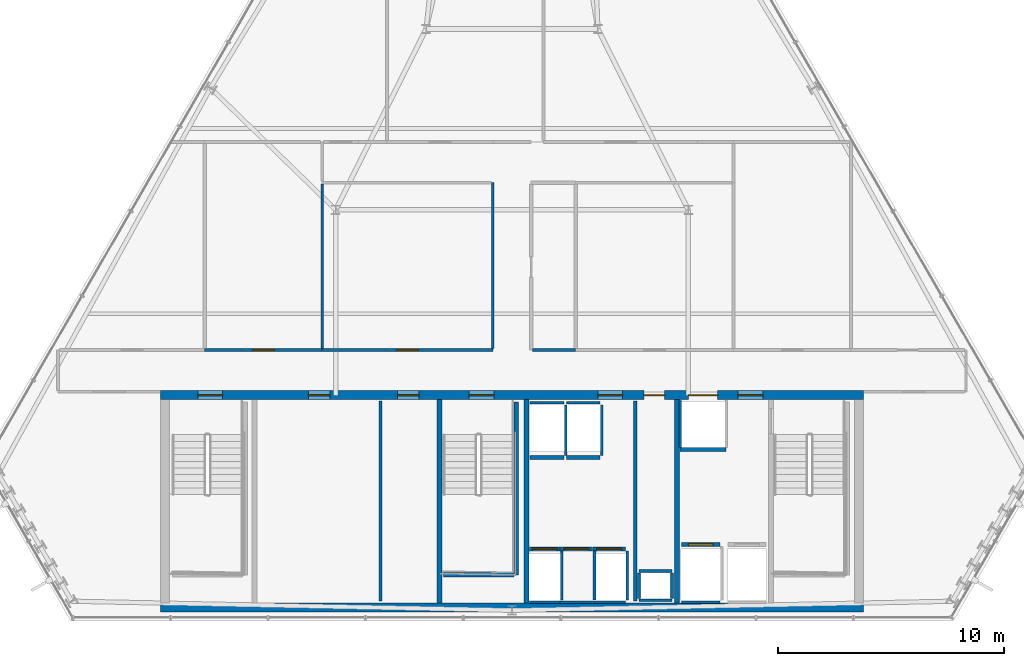
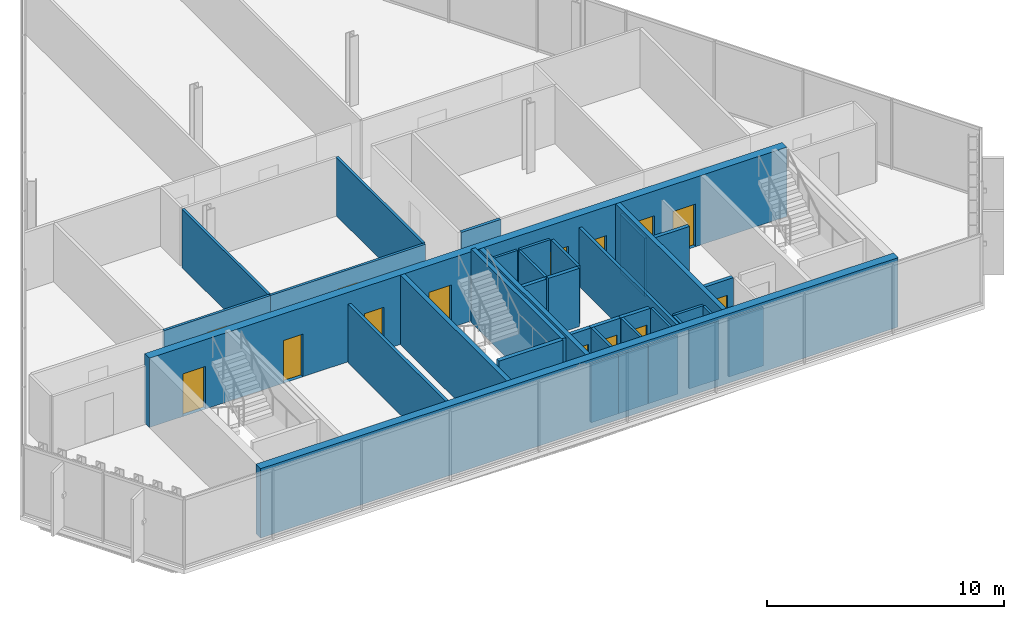
# One storey, part 24 of 30: 37 walls, 14 doors, 14 openings.
"""IFC4 building model written with IfcOpenShell, lengths in metres."""

from ifc_helpers import new_model, si_unit, direction, frame, frame_2d, origin, place, context, subcontext, project, spatial, rectangle, extrude, material, layer, layer_set, type_object, element, fill, save


model = new_model("IFC4")

# Units and contexts
model_context = context("Model", 3, precision=1e-05, world=origin(), true_north=direction((0.0, 1.0)))
body_context = subcontext(model_context, "Body", "Model", "MODEL_VIEW")
ifc_project = project(units=[si_unit("LENGTHUNIT", "METRE"), si_unit("AREAUNIT", "SQUARE_METRE"), si_unit("VOLUMEUNIT", "CUBIC_METRE"), si_unit("PLANEANGLEUNIT", "RADIAN"), si_unit("MASSUNIT", "GRAM", prefix="KILO")], contexts=[model_context])

# Site, building, storey
site_placement = place(None, origin())
site = spatial("IfcSite", under=ifc_project, at=site_placement, CompositionType="ELEMENT")
building_placement = place(site_placement, origin())
building = spatial("IfcBuilding", under=site, at=building_placement, Name="Ndaravel Arena Tower", CompositionType="ELEMENT")
storey_placement = place(building_placement, frame((0.0, 0.0, 221.800048828125)))
storey = spatial("IfcBuildingStorey", under=building, at=storey_placement, Name="L53", CompositionType="ELEMENT", Elevation=221.800048828125)

# Walls
ifc_material_1 = material(Name="Gypsum", Category="gypsum")
ifc_layer_1 = layer(ifc_material_1, 0.14990234375)
ifc_layer_set_1 = layer_set([ifc_layer_1], Name="Gypsum")
wall_type_1 = type_object("IfcWallType", Name="WALL-COMP-150", PredefinedType="PARTITIONING", material=ifc_layer_set_1)
for number, where, z_axis, x_axis, name in (
    (1, (47.449951171875, 5.89990234375, 0.0), (0.0, 0.0, 1.0), (0.0, 1.0, 0.0), "L53 Core Riser Bay Partition"),
    (2, (36.179931640625, 5.89990234375, 0.0), (0.0, 0.0, 1.0), (0.0, 1.0, 0.0), "L53 High-Zone Core Divider 1"),
):
    element("IfcWall", number, at=place(storey_placement, frame(where, z_axis=z_axis, x_axis=x_axis)), inside=storey, type_object=wall_type_1, Name=name, PredefinedType="PARTITIONING", context=body_context, shape_type="SweptSolid", body=[
        extrude(rectangle(XDim=8.85009765625, YDim=0.14990234375, at=frame_2d((4.425048828125, 0.0))), origin(), (0.0, 0.0, 1.0), 3.010498046875),
    ])
ifc_material_2 = material(Name="Concrete C50/60", Category="concrete")
ifc_layer_2 = layer(ifc_material_2, 0.219970703125)
ifc_layer_set_2 = layer_set([ifc_layer_2], Name="Concrete C50/60")
wall_type_2 = type_object("IfcWallType", Name="WALL-CORE-220", PredefinedType="SOLIDWALL", material=ifc_layer_set_2)
for number, where, z_axis, x_axis, name in (
    (3, (38.800048828125, 5.800048828125, 0.0), (0.0, 0.0, 1.0), (0.0, 1.0, 0.0), "L53 Core Web Shear Wall 2"),
    (4, (42.64990234375, 5.800048828125, 0.0), (0.0, 0.0, 1.0), (0.0, 1.0, 0.0), "L53 Core Web Shear Wall 3"),
    (5, (49.300048828125, 5.800048828125, 0.0), (0.0, 0.0, 1.0), (0.0, 1.0, 0.0), "L53 Core Web Shear Wall 4"),
):
    element("IfcWall", number, at=place(storey_placement, frame(where, z_axis=z_axis, x_axis=x_axis)), inside=storey, type_object=wall_type_2, Name=name, PredefinedType="SOLIDWALL", context=body_context, shape_type="SweptSolid", body=[
        extrude(rectangle(XDim=9.0, YDim=0.219970703125, at=frame_2d((4.5, 0.0))), origin(), (0.0, 0.0, 1.0), 3.579833984375),
    ])

# Wall, openings, doors
ifc_material_3 = material(Name="Concrete C50/60", Category="concrete")
ifc_layer_3 = layer(ifc_material_3, 0.39990234375)
ifc_layer_set_3 = layer_set([ifc_layer_3], Name="Concrete C50/60")
wall_type_3 = type_object("IfcWallType", Name="WALL-CORE-400", PredefinedType="SOLIDWALL", material=ifc_layer_set_3)
wall_1_placement = place(storey_placement, frame((26.449951171875, 15.0, 0.0), z_axis=(0.0, 0.0, 1.0), x_axis=(1.0, 0.0, 0.0)))
wall_1 = element("IfcWall", 6, at=wall_1_placement, inside=storey, type_object=wall_type_3, Name="L53 Core North Shear Wall", PredefinedType="SOLIDWALL", context=body_context, shape_type="SweptSolid", body=[
    extrude(rectangle(XDim=31.10009765625, YDim=0.39990234375, at=frame_2d((15.550048828125, 0.0))), origin(), (0.0, 0.0, 1.0), 3.579833984375),
])
opening_1_placement = place(wall_1_placement, frame((1.64990234375, 0.0, 0.0)))
opening_1 = element("IfcOpeningElement", 7, at=opening_1_placement, cuts=wall_1, Name="Opening FD-01", PredefinedType="OPENING", context=body_context, shape_type="SweptSolid", body=[
    extrude(rectangle(XDim=1.10009765625, YDim=2.199951171875, at=frame_2d((0.550048828125, 1.10009765625))), frame((0.0, 0.199951171875, 0.0), z_axis=(0.0, -1.0, 0.0), x_axis=(1.0, 0.0, 0.0)), (0.0, 0.0, 1.0), 0.39990234375),
])
opening_2_placement = place(wall_1_placement, frame((13.64990234375, 0.0, 0.0)))
opening_2 = element("IfcOpeningElement", 8, at=opening_2_placement, cuts=wall_1, Name="Opening FD-01", PredefinedType="OPENING", context=body_context, shape_type="SweptSolid", body=[
    extrude(rectangle(XDim=1.10009765625, YDim=2.199951171875, at=frame_2d((0.550048828125, 1.10009765625))), frame((0.0, 0.199951171875, 0.0), z_axis=(0.0, -1.0, 0.0), x_axis=(1.0, 0.0, 0.0)), (0.0, 0.0, 1.0), 0.39990234375),
])
opening_3_placement = place(wall_1_placement, frame((25.550048828125, 0.0, 0.0)))
opening_3 = element("IfcOpeningElement", 9, at=opening_3_placement, cuts=wall_1, Name="Opening FD-01", PredefinedType="OPENING", context=body_context, shape_type="SweptSolid", body=[
    extrude(rectangle(XDim=1.10009765625, YDim=2.199951171875, at=frame_2d((0.550048828125, 1.10009765625))), frame((0.0, 0.199951171875, 0.0), z_axis=(0.0, -1.0, 0.0), x_axis=(1.0, 0.0, 0.0)), (0.0, 0.0, 1.0), 0.39990234375),
])
opening_4_placement = place(wall_1_placement, frame((19.35009765625, 0.0, 0.0)))
opening_4 = element("IfcOpeningElement", 10, at=opening_4_placement, cuts=wall_1, Name="Opening FD-01", PredefinedType="OPENING", context=body_context, shape_type="SweptSolid", body=[
    extrude(rectangle(XDim=1.10009765625, YDim=2.199951171875, at=frame_2d((0.550048828125, 1.10009765625))), frame((0.0, 0.199951171875, 0.0), z_axis=(0.0, -1.0, 0.0), x_axis=(1.0, 0.0, 0.0)), (0.0, 0.0, 1.0), 0.39990234375),
])
opening_5_placement = place(wall_1_placement, frame((21.39990234375, 0.0, 0.0)))
opening_5 = element("IfcOpeningElement", 11, at=opening_5_placement, cuts=wall_1, Name="Opening RD-01", PredefinedType="OPENING", context=body_context, shape_type="SweptSolid", body=[
    extrude(rectangle(XDim=0.89990234375, YDim=2.10009765625, at=frame_2d((0.449951171875, 1.050048828125))), frame((0.0, 0.199951171875, 0.0), z_axis=(0.0, -1.0, 0.0), x_axis=(1.0, 0.0, 0.0)), (0.0, 0.0, 1.0), 0.39990234375),
])
opening_6_placement = place(wall_1_placement, frame((6.5400390625, 0.0, 0.0)))
opening_6 = element("IfcOpeningElement", 12, at=opening_6_placement, cuts=wall_1, Name="Opening FD-03", PredefinedType="OPENING", context=body_context, shape_type="SweptSolid", body=[
    extrude(rectangle(XDim=0.949951171875, YDim=2.199951171875, at=frame_2d((0.47509765625, 1.10009765625))), frame((0.0, 0.199951171875, 0.0), z_axis=(0.0, -1.0, 0.0), x_axis=(1.0, 0.0, 0.0)), (0.0, 0.0, 1.0), 0.39990234375),
])
opening_7_placement = place(wall_1_placement, frame((10.489990234375, 0.0, 0.0)))
opening_7 = element("IfcOpeningElement", 13, at=opening_7_placement, cuts=wall_1, Name="Opening FD-03", PredefinedType="OPENING", context=body_context, shape_type="SweptSolid", body=[
    extrude(rectangle(XDim=0.949951171875, YDim=2.199951171875, at=frame_2d((0.47509765625, 1.10009765625))), frame((0.0, 0.199951171875, 0.0), z_axis=(0.0, -1.0, 0.0), x_axis=(1.0, 0.0, 0.0)), (0.0, 0.0, 1.0), 0.39990234375),
])
opening_8_placement = place(wall_1_placement, frame((23.35009765625, 0.0, 0.0)))
opening_8 = element("IfcOpeningElement", 14, at=opening_8_placement, cuts=wall_1, Name="Opening LD-02", PredefinedType="OPENING", context=body_context, shape_type="SweptSolid", body=[
    extrude(rectangle(XDim=1.300048828125, YDim=2.300048828125, at=frame_2d((0.64990234375, 1.14990234375))), frame((0.0, 0.199951171875, 0.0), z_axis=(0.0, -1.0, 0.0), x_axis=(1.0, 0.0, 0.0)), (0.0, 0.0, 1.0), 0.39990234375),
])
ifc_material_4 = material(Name="Steel S355", Category="steel")
door_type_1 = type_object("IfcDoorType", Name="DT-01-STAIR-1100", OperationType="SINGLE_SWING_LEFT", PredefinedType="DOOR", material=ifc_material_4)
door_1_placement = place(opening_1_placement, origin())
door_1 = element("IfcDoor", 15, at=door_1_placement, inside=storey, type_object=door_type_1, Name="L53 Exit Stair ST-1 Door", OperationType="SINGLE_SWING_RIGHT", OverallHeight=2.199951171875, OverallWidth=1.10009765625, PredefinedType="DOOR", context=body_context, shape_type="SweptSolid", body=[
    extrude(rectangle(XDim=1.10009765625, YDim=2.199951171875, at=frame_2d((0.550048828125, 1.10009765625))), frame((0.0, 0.02490234375, 0.0), z_axis=(0.0, -1.0, 0.0), x_axis=(1.0, 0.0, 0.0)), (0.0, 0.0, 1.0), 0.050048828125),
])
fill(opening_1, door_1)
door_2_placement = place(opening_2_placement, origin())
door_2 = element("IfcDoor", 16, at=door_2_placement, inside=storey, type_object=door_type_1, Name="L53 Exit Stair ST-2 Door", OperationType="SINGLE_SWING_LEFT", OverallHeight=2.199951171875, OverallWidth=1.10009765625, PredefinedType="DOOR", context=body_context, shape_type="SweptSolid", body=[
    extrude(rectangle(XDim=1.10009765625, YDim=2.199951171875, at=frame_2d((0.550048828125, 1.10009765625))), frame((0.0, 0.02490234375, 0.0), z_axis=(0.0, -1.0, 0.0), x_axis=(1.0, 0.0, 0.0)), (0.0, 0.0, 1.0), 0.050048828125),
])
fill(opening_2, door_2)
door_3_placement = place(opening_3_placement, origin())
door_3 = element("IfcDoor", 17, at=door_3_placement, inside=storey, type_object=door_type_1, Name="L53 Firefighting Lift Lobby Door", OperationType="SINGLE_SWING_RIGHT", OverallHeight=2.199951171875, OverallWidth=1.10009765625, PredefinedType="DOOR", context=body_context, shape_type="SweptSolid", body=[
    extrude(rectangle(XDim=1.10009765625, YDim=2.199951171875, at=frame_2d((0.550048828125, 1.10009765625))), frame((0.0, 0.02490234375, 0.0), z_axis=(0.0, -1.0, 0.0), x_axis=(1.0, 0.0, 0.0)), (0.0, 0.0, 1.0), 0.050048828125),
])
fill(opening_3, door_3)
door_4_placement = place(opening_4_placement, origin())
door_4 = element("IfcDoor", 18, at=door_4_placement, inside=storey, type_object=door_type_1, Name="L53 Express Lift Lobby Entry Door", OperationType="SINGLE_SWING_LEFT", OverallHeight=2.199951171875, OverallWidth=1.10009765625, PredefinedType="DOOR", context=body_context, shape_type="SweptSolid", body=[
    extrude(rectangle(XDim=1.10009765625, YDim=2.199951171875, at=frame_2d((0.550048828125, 1.10009765625))), frame((0.0, 0.02490234375, 0.0), z_axis=(0.0, -1.0, 0.0), x_axis=(1.0, 0.0, 0.0)), (0.0, 0.0, 1.0), 0.050048828125),
])
fill(opening_4, door_4)
ifc_material_5 = material(Name="Steel S355", Category="steel")
door_type_2 = type_object("IfcDoorType", Name="DT-07-SVLIFT-1300", OperationType="DOUBLE_DOOR_SLIDING", PredefinedType="DOOR", material=ifc_material_5)
door_5_placement = place(opening_8_placement, origin())
door_5 = element("IfcDoor", 19, at=door_5_placement, inside=storey, type_object=door_type_2, Name="L53 Lift SVL-1 Sliding Landing Door", OperationType="DOUBLE_DOOR_SLIDING", OverallHeight=2.300048828125, OverallWidth=1.300048828125, PredefinedType="DOOR", context=body_context, shape_type="SweptSolid", body=[
    extrude(rectangle(XDim=1.300048828125, YDim=2.300048828125, at=frame_2d((0.64990234375, 1.14990234375))), frame((0.0, 0.02490234375, 0.0), z_axis=(0.0, -1.0, 0.0), x_axis=(1.0, 0.0, 0.0)), (0.0, 0.0, 1.0), 0.050048828125),
])
fill(opening_8, door_5)
ifc_material_6 = material(Name="Steel S355", Category="steel")
door_type_3 = type_object("IfcDoorType", Name="DT-08-RISER-900", OperationType="SINGLE_SWING_LEFT", PredefinedType="DOOR", material=ifc_material_6)
door_6_placement = place(opening_5_placement, origin())
door_6 = element("IfcDoor", 20, at=door_6_placement, inside=storey, type_object=door_type_3, Name="L53 Core Service Riser North Door", OperationType="SINGLE_SWING_LEFT", OverallHeight=2.10009765625, OverallWidth=0.89990234375, PredefinedType="DOOR", context=body_context, shape_type="SweptSolid", body=[
    extrude(rectangle(XDim=0.89990234375, YDim=2.10009765625, at=frame_2d((0.449951171875, 1.050048828125))), frame((0.0, 0.02490234375, 0.0), z_axis=(0.0, -1.0, 0.0), x_axis=(1.0, 0.0, 0.0)), (0.0, 0.0, 1.0), 0.050048828125),
])
fill(opening_5, door_6)
ifc_material_7 = material(Name="Steel S355", Category="steel")
door_type_4 = type_object("IfcDoorType", Name="DT-11-CORE-950", OperationType="SINGLE_SWING_LEFT", PredefinedType="DOOR", material=ifc_material_7)
door_7_placement = place(opening_6_placement, origin())
door_7 = element("IfcDoor", 21, at=door_7_placement, inside=storey, type_object=door_type_4, Name="L53 High-Zone Reclaimed Core Room 1 Door", OperationType="SINGLE_SWING_LEFT", OverallHeight=2.199951171875, OverallWidth=0.949951171875, PredefinedType="DOOR", context=body_context, shape_type="SweptSolid", body=[
    extrude(rectangle(XDim=0.949951171875, YDim=2.199951171875, at=frame_2d((0.47509765625, 1.10009765625))), frame((0.0, 0.02490234375, 0.0), z_axis=(0.0, -1.0, 0.0), x_axis=(1.0, 0.0, 0.0)), (0.0, 0.0, 1.0), 0.050048828125),
])
fill(opening_6, door_7)
door_8_placement = place(opening_7_placement, origin())
door_8 = element("IfcDoor", 22, at=door_8_placement, inside=storey, type_object=door_type_4, Name="L53 High-Zone Reclaimed Core Room 2 Door", OperationType="SINGLE_SWING_RIGHT", OverallHeight=2.199951171875, OverallWidth=0.949951171875, PredefinedType="DOOR", context=body_context, shape_type="SweptSolid", body=[
    extrude(rectangle(XDim=0.949951171875, YDim=2.199951171875, at=frame_2d((0.47509765625, 1.10009765625))), frame((0.0, 0.02490234375, 0.0), z_axis=(0.0, -1.0, 0.0), x_axis=(1.0, 0.0, 0.0)), (0.0, 0.0, 1.0), 0.050048828125),
])
fill(opening_7, door_8)

# Wall
wall_2_placement = place(storey_placement, frame((26.449951171875, 5.60009765625, 0.0), z_axis=(0.0, 0.0, 1.0), x_axis=(1.0, 0.0, 0.0)))
element("IfcWall", 23, at=wall_2_placement, inside=storey, type_object=wall_type_3, Name="L53 Core South Shear Wall", PredefinedType="SOLIDWALL", context=body_context, shape_type="SweptSolid", body=[
    extrude(rectangle(XDim=31.10009765625, YDim=0.39990234375, at=frame_2d((15.550048828125, 0.0))), origin(), (0.0, 0.0, 1.0), 3.579833984375),
])

# Wall, opening, door
ifc_material_8 = material(Name="Gypsum", Category="gypsum")
ifc_layer_4 = layer(ifc_material_8, 0.125)
ifc_layer_set_4 = layer_set([ifc_layer_4], Name="Gypsum")
wall_type_4 = type_object("IfcWallType", Name="WALL-PART-125", PredefinedType="PARTITIONING", material=ifc_layer_set_4)
wall_3_placement = place(storey_placement, frame((28.39990234375, 17.0, 0.0), z_axis=(0.0, 0.0, 1.0), x_axis=(1.0, 0.0, 0.0)))
wall_3 = element("IfcWall", 24, at=wall_3_placement, inside=storey, type_object=wall_type_4, Name="L53 Interior Partition 006", PredefinedType="PARTITIONING", context=body_context, shape_type="SweptSolid", body=[
    extrude(rectangle(XDim=5.2001953125, YDim=0.125, at=frame_2d((2.60009765625, 0.0))), origin(), (0.0, 0.0, 1.0), 3.010498046875),
])
opening_9_placement = place(wall_3_placement, frame((2.125, 0.0, 0.0)))
opening_9 = element("IfcOpeningElement", 25, at=opening_9_placement, cuts=wall_3, Name="Opening ID-01", PredefinedType="OPENING", context=body_context, shape_type="SweptSolid", body=[
    extrude(rectangle(XDim=0.949951171875, YDim=2.199951171875, at=frame_2d((0.47509765625, 1.10009765625))), frame((0.0, 0.0625, 0.0), z_axis=(0.0, -1.0, 0.0), x_axis=(1.0, 0.0, 0.0)), (0.0, 0.0, 1.0), 0.125),
])
ifc_material_9 = material(Name="Timber", Category="wood")
door_type_5 = type_object("IfcDoorType", Name="DT-03-OFFICE-950", OperationType="SINGLE_SWING_LEFT", PredefinedType="DOOR", material=ifc_material_9)
door_9_placement = place(opening_9_placement, origin())
door_9 = element("IfcDoor", 26, at=door_9_placement, inside=storey, type_object=door_type_5, Name="L53 Quiet Study Room 3 Door", OperationType="SINGLE_SWING_LEFT", OverallHeight=2.199951171875, OverallWidth=0.949951171875, PredefinedType="DOOR", context=body_context, shape_type="SweptSolid", body=[
    extrude(rectangle(XDim=0.949951171875, YDim=2.199951171875, at=frame_2d((0.47509765625, 1.10009765625))), frame((0.0, 0.02490234375, 0.0), z_axis=(0.0, -1.0, 0.0), x_axis=(1.0, 0.0, 0.0)), (0.0, 0.0, 1.0), 0.050048828125),
])
fill(opening_9, door_9)

wall_4_placement = place(storey_placement, frame((33.60009765625, 17.0, 0.0), z_axis=(0.0, 0.0, 1.0), x_axis=(1.0, 0.0, 0.0)))
wall_4 = element("IfcWall", 27, at=wall_4_placement, inside=storey, type_object=wall_type_4, Name="L53 Interior Partition 007", PredefinedType="PARTITIONING", context=body_context, shape_type="SweptSolid", body=[
    extrude(rectangle(XDim=7.5498046875, YDim=0.125, at=frame_2d((3.77490234375, 0.0))), origin(), (0.0, 0.0, 1.0), 3.010498046875),
])
opening_10_placement = place(wall_4_placement, frame((3.300048828125, 0.0, 0.0)))
opening_10 = element("IfcOpeningElement", 28, at=opening_10_placement, cuts=wall_4, Name="Opening ID-01", PredefinedType="OPENING", context=body_context, shape_type="SweptSolid", body=[
    extrude(rectangle(XDim=0.949951171875, YDim=2.199951171875, at=frame_2d((0.47509765625, 1.10009765625))), frame((0.0, 0.0625, 0.0), z_axis=(0.0, -1.0, 0.0), x_axis=(1.0, 0.0, 0.0)), (0.0, 0.0, 1.0), 0.125),
])
door_10_placement = place(opening_10_placement, origin())
door_10 = element("IfcDoor", 29, at=door_10_placement, inside=storey, type_object=door_type_5, Name="L53 Staff Wellness Clinic Door", OperationType="SINGLE_SWING_RIGHT", OverallHeight=2.199951171875, OverallWidth=0.949951171875, PredefinedType="DOOR", context=body_context, shape_type="SweptSolid", body=[
    extrude(rectangle(XDim=0.949951171875, YDim=2.199951171875, at=frame_2d((0.47509765625, 1.10009765625))), frame((0.0, 0.02490234375, 0.0), z_axis=(0.0, -1.0, 0.0), x_axis=(1.0, 0.0, 0.0)), (0.0, 0.0, 1.0), 0.050048828125),
])
fill(opening_10, door_10)

# Walls
wall_5_placement = place(storey_placement, frame((41.14990234375, 17.06494140625, 0.0), z_axis=(0.0, 0.0, 1.0), x_axis=(0.0, 1.0, 0.0)))
element("IfcWall", 30, at=wall_5_placement, inside=storey, type_object=wall_type_4, Name="L53 Interior Partition 008", PredefinedType="PARTITIONING", context=body_context, shape_type="SweptSolid", body=[
    extrude(rectangle(XDim=7.3349609375, YDim=0.125, at=frame_2d((3.66748046875, 0.0))), origin(), (0.0, 0.0, 1.0), 3.010498046875),
])
wall_6_placement = place(storey_placement, frame((33.60009765625, 17.06494140625, 0.0), z_axis=(0.0, 0.0, 1.0), x_axis=(0.0, 1.0, 0.0)))
element("IfcWall", 31, at=wall_6_placement, inside=storey, type_object=wall_type_4, Name="L53 Interior Partition 028", PredefinedType="PARTITIONING", context=body_context, shape_type="SweptSolid", body=[
    extrude(rectangle(XDim=7.27001953125, YDim=0.125, at=frame_2d((3.635009765625, 0.0))), origin(), (0.0, 0.0, 1.0), 3.010498046875),
])
ifc_material_10 = material(Name="Concrete C40/50", Category="concrete")
ifc_layer_5 = layer(ifc_material_10, 0.1201171875)
ifc_layer_set_5 = layer_set([ifc_layer_5], Name="Concrete C40/50")
wall_type_5 = type_object("IfcWallType", Name="WALL-SHAFT-120", PredefinedType="SOLIDWALL", material=ifc_layer_set_5)
for number, where, z_axis, x_axis, name in (
    (32, (47.6201171875, 5.919921875, 0.0), (0.0, 0.0, 1.0), (1.0, 0.0, 0.0), "L53 MEP Riser Shaft S Wall"),
    (33, (47.6201171875, 7.219970703125, 0.0), (0.0, 0.0, 1.0), (1.0, 0.0, 0.0), "L53 MEP Riser Shaft N Wall"),
):
    element("IfcWall", number, at=place(storey_placement, frame(where, z_axis=z_axis, x_axis=x_axis)), inside=storey, type_object=wall_type_5, Name=name, PredefinedType="SOLIDWALL", context=body_context, shape_type="SweptSolid", body=[
        extrude(rectangle(XDim=1.4599609375, YDim=0.1201171875, at=frame_2d((0.72998046875, 0.0))), origin(), (0.0, 0.0, 1.0), 3.010498046875),
    ])
for number, where, z_axis, x_axis, name in (
    (34, (47.6201171875, 6.0, 0.0), (0.0, 0.0, 1.0), (0.0, 1.0, 0.0), "L53 MEP Riser Shaft W Wall"),
    (35, (49.080078125, 6.0, 0.0), (0.0, 0.0, 1.0), (0.0, 1.0, 0.0), "L53 MEP Riser Shaft E Wall"),
):
    element("IfcWall", number, at=place(storey_placement, frame(where, z_axis=z_axis, x_axis=x_axis)), inside=storey, type_object=wall_type_5, Name=name, PredefinedType="SOLIDWALL", context=body_context, shape_type="SweptSolid", body=[
        extrude(rectangle(XDim=1.139892578125, YDim=0.1201171875, at=frame_2d((0.56982421875, 0.0))), origin(), (0.0, 0.0, 1.0), 3.010498046875),
    ])
wall_7_placement = place(storey_placement, frame((42.780029296875, 5.840087890625, 0.0), z_axis=(0.0, 0.0, 1.0), x_axis=(1.0, 0.0, 0.0)))
element("IfcWall", 36, at=wall_7_placement, inside=storey, type_object=wall_type_5, Name="L53 PL-H1 Shaft Rear Wall", PredefinedType="SOLIDWALL", context=body_context, shape_type="SweptSolid", body=[
    extrude(rectangle(XDim=1.340087890625, YDim=0.1201171875, at=frame_2d((0.669921875, 0.0))), origin(), (0.0, 0.0, 1.0), 3.010498046875),
])
wall_8_placement = place(storey_placement, frame((44.199951171875, 5.929931640625, 0.0), z_axis=(0.0, 0.0, 1.0), x_axis=(0.0, 1.0, 0.0)))
element("IfcWall", 37, at=wall_8_placement, inside=storey, type_object=wall_type_5, Name="L53 PL-H1 Shaft Side R Wall", PredefinedType="SOLIDWALL", context=body_context, shape_type="SweptSolid", body=[
    extrude(rectangle(XDim=2.18017578125, YDim=0.1201171875, at=frame_2d((1.090087890625, 0.0))), origin(), (0.0, 0.0, 1.0), 3.010498046875),
])
wall_9_placement = place(storey_placement, frame((44.1298828125, 5.840087890625, 0.0), z_axis=(0.0, 0.0, 1.0), x_axis=(1.0, 0.0, 0.0)))
element("IfcWall", 38, at=wall_9_placement, inside=storey, type_object=wall_type_5, Name="L53 PL-H2 Shaft Rear Wall", PredefinedType="SOLIDWALL", context=body_context, shape_type="SweptSolid", body=[
    extrude(rectangle(XDim=1.440185546875, YDim=0.1201171875, at=frame_2d((0.72021484375, 0.0))), origin(), (0.0, 0.0, 1.0), 3.010498046875),
])
wall_10_placement = place(storey_placement, frame((45.64990234375, 5.929931640625, 0.0), z_axis=(0.0, 0.0, 1.0), x_axis=(0.0, 1.0, 0.0)))
element("IfcWall", 39, at=wall_10_placement, inside=storey, type_object=wall_type_5, Name="L53 PL-H2 Shaft Side R Wall", PredefinedType="SOLIDWALL", context=body_context, shape_type="SweptSolid", body=[
    extrude(rectangle(XDim=2.18017578125, YDim=0.1201171875, at=frame_2d((1.090087890625, 0.0))), origin(), (0.0, 0.0, 1.0), 3.010498046875),
])
wall_11_placement = place(storey_placement, frame((45.580078125, 5.840087890625, 0.0), z_axis=(0.0, 0.0, 1.0), x_axis=(1.0, 0.0, 0.0)))
element("IfcWall", 40, at=wall_11_placement, inside=storey, type_object=wall_type_5, Name="L53 PL-H3 Shaft Rear Wall", PredefinedType="SOLIDWALL", context=body_context, shape_type="SweptSolid", body=[
    extrude(rectangle(XDim=1.43994140625, YDim=0.1201171875, at=frame_2d((0.719970703125, 0.0))), origin(), (0.0, 0.0, 1.0), 3.010498046875),
])
wall_12_placement = place(storey_placement, frame((47.10009765625, 5.929931640625, 0.0), z_axis=(0.0, 0.0, 1.0), x_axis=(0.0, 1.0, 0.0)))
element("IfcWall", 41, at=wall_12_placement, inside=storey, type_object=wall_type_5, Name="L53 PL-H3 Shaft Side R Wall", PredefinedType="SOLIDWALL", context=body_context, shape_type="SweptSolid", body=[
    extrude(rectangle(XDim=2.18017578125, YDim=0.1201171875, at=frame_2d((1.090087890625, 0.0))), origin(), (0.0, 0.0, 1.0), 3.010498046875),
])
wall_13_placement = place(storey_placement, frame((42.804931640625, 14.659912109375, 0.0), z_axis=(0.0, 0.0, 1.0), x_axis=(1.0, 0.0, 0.0)))
element("IfcWall", 42, at=wall_13_placement, inside=storey, type_object=wall_type_5, Name="L53 PL-OBS1 Shaft Rear Wall", PredefinedType="SOLIDWALL", context=body_context, shape_type="SweptSolid", body=[
    extrude(rectangle(XDim=1.489990234375, YDim=0.1201171875, at=frame_2d((0.7451171875, 0.0))), origin(), (0.0, 0.0, 1.0), 3.010498046875),
])
wall_14_placement = place(storey_placement, frame((44.375, 12.340087890625, 0.0), z_axis=(0.0, 0.0, 1.0), x_axis=(0.0, 1.0, 0.0)))
element("IfcWall", 43, at=wall_14_placement, inside=storey, type_object=wall_type_5, Name="L53 PL-OBS1 Shaft Side R Wall", PredefinedType="SOLIDWALL", context=body_context, shape_type="SweptSolid", body=[
    extrude(rectangle(XDim=2.22998046875, YDim=0.1201171875, at=frame_2d((1.114990234375, 0.0))), origin(), (0.0, 0.0, 1.0), 3.010498046875),
])
wall_15_placement = place(storey_placement, frame((44.405029296875, 14.659912109375, 0.0), z_axis=(0.0, 0.0, 1.0), x_axis=(1.0, 0.0, 0.0)))
element("IfcWall", 44, at=wall_15_placement, inside=storey, type_object=wall_type_5, Name="L53 PL-OBS2 Shaft Rear Wall", PredefinedType="SOLIDWALL", context=body_context, shape_type="SweptSolid", body=[
    extrude(rectangle(XDim=1.489990234375, YDim=0.1201171875, at=frame_2d((0.7451171875, 0.0))), origin(), (0.0, 0.0, 1.0), 3.010498046875),
])
wall_16_placement = place(storey_placement, frame((45.97509765625, 12.340087890625, 0.0), z_axis=(0.0, 0.0, 1.0), x_axis=(0.0, 1.0, 0.0)))
element("IfcWall", 45, at=wall_16_placement, inside=storey, type_object=wall_type_5, Name="L53 PL-OBS2 Shaft Side R Wall", PredefinedType="SOLIDWALL", context=body_context, shape_type="SweptSolid", body=[
    extrude(rectangle(XDim=2.22998046875, YDim=0.1201171875, at=frame_2d((1.114990234375, 0.0))), origin(), (0.0, 0.0, 1.0), 3.010498046875),
])
wall_17_placement = place(storey_placement, frame((49.5048828125, 5.840087890625, 0.0), z_axis=(0.0, 0.0, 1.0), x_axis=(1.0, 0.0, 0.0)))
element("IfcWall", 46, at=wall_17_placement, inside=storey, type_object=wall_type_5, Name="L53 FFL-1 Shaft Rear Wall", PredefinedType="SOLIDWALL", context=body_context, shape_type="SweptSolid", body=[
    extrude(rectangle(XDim=1.690185546875, YDim=0.1201171875, at=frame_2d((0.84521484375, 0.0))), origin(), (0.0, 0.0, 1.0), 3.010498046875),
])
wall_18_placement = place(storey_placement, frame((49.43994140625, 12.68994140625, 0.0), z_axis=(0.0, 0.0, 1.0), x_axis=(0.0, 1.0, 0.0)))
element("IfcWall", 47, at=wall_18_placement, inside=storey, type_object=wall_type_5, Name="L53 SVL-1 Shaft W Wall", PredefinedType="SOLIDWALL", context=body_context, shape_type="SweptSolid", body=[
    extrude(rectangle(XDim=2.070068359375, YDim=0.1201171875, at=frame_2d((1.03515625, 0.0))), origin(), (0.0, 0.0, 1.0), 3.010498046875),
])
ifc_material_11 = material(Name="Concrete C40/50", Category="concrete")
ifc_layer_6 = layer(ifc_material_11, 0.199951171875)
ifc_layer_set_6 = layer_set([ifc_layer_6], Name="Concrete C40/50")
wall_type_6 = type_object("IfcWallType", Name="WALL-SHAFT-200", PredefinedType="SOLIDWALL", material=ifc_layer_set_6)
wall_19_placement = place(storey_placement, frame((42.18994140625, 14.699951171875, 0.0), z_axis=(0.0, 0.0, 1.0), x_axis=(0.0, -1.0, 0.0)))
element("IfcWall", 48, at=wall_19_placement, inside=storey, type_object=wall_type_6, Name="L53 ST-2 Structural Shaft Wall Right", PredefinedType="SOLIDWALL", context=body_context, shape_type="SweptSolid", body=[
    extrude(rectangle(XDim=7.64990234375, YDim=0.199951171875, at=frame_2d((3.824951171875, 0.0))), origin(), (0.0, 0.0, 1.0), 3.800048828125),
])
wall_20_placement = place(storey_placement, frame((38.969970703125, 7.050048828125, 0.0), z_axis=(0.0, 0.0, 1.0), x_axis=(1.0, 0.0, 0.0)))
element("IfcWall", 49, at=wall_20_placement, inside=storey, type_object=wall_type_6, Name="L53 ST-2 Structural Shaft Wall Far", PredefinedType="SOLIDWALL", context=body_context, shape_type="SweptSolid", body=[
    extrude(rectangle(XDim=3.114990234375, YDim=0.199951171875, at=frame_2d((1.5576171875, 0.0))), origin(), (0.0, 0.0, 1.0), 3.800048828125),
])

# Wall, opening, door
wall_21_placement = place(storey_placement, frame((42.780029296875, 8.199951171875, 0.0), z_axis=(0.0, 0.0, 1.0), x_axis=(1.0, 0.0, 0.0)))
wall_21 = element("IfcWall", 50, at=wall_21_placement, inside=storey, type_object=wall_type_6, Name="L53 PL-H1 Shaft Landing Wall", PredefinedType="SOLIDWALL", context=body_context, shape_type="SweptSolid", body=[
    extrude(rectangle(XDim=1.340087890625, YDim=0.179931640625, at=frame_2d((0.669921875, 0.0))), origin(), (0.0, 0.0, 1.0), 3.010498046875),
])
opening_11_placement = place(wall_21_placement, frame((0.1201171875, 0.0, 0.0)))
opening_11 = element("IfcOpeningElement", 51, at=opening_11_placement, cuts=wall_21, Name="Opening LD-01", PredefinedType="OPENING", context=body_context, shape_type="SweptSolid", body=[
    extrude(rectangle(XDim=1.10009765625, YDim=2.199951171875, at=frame_2d((0.550048828125, 1.10009765625))), frame((0.0, 0.08984375, 0.0), z_axis=(0.0, -1.0, 0.0), x_axis=(1.0, 0.0, 0.0)), (0.0, 0.0, 1.0), 0.179931640625),
])
ifc_material_12 = material(Name="Steel S355", Category="steel")
door_type_6 = type_object("IfcDoorType", Name="DT-06-LIFT-1100", OperationType="SLIDING_TO_LEFT", PredefinedType="DOOR", material=ifc_material_12)
door_11_placement = place(opening_11_placement, origin())
door_11 = element("IfcDoor", 52, at=door_11_placement, inside=storey, type_object=door_type_6, Name="L53 Lift PL-H1 Sliding Landing Door", OperationType="SLIDING_TO_LEFT", OverallHeight=2.199951171875, OverallWidth=1.10009765625, PredefinedType="DOOR", context=body_context, shape_type="SweptSolid", body=[
    extrude(rectangle(XDim=1.10009765625, YDim=2.199951171875, at=frame_2d((0.550048828125, 1.10009765625))), frame((0.0, 0.02490234375, 0.0), z_axis=(0.0, -1.0, 0.0), x_axis=(1.0, 0.0, 0.0)), (0.0, 0.0, 1.0), 0.050048828125),
])
fill(opening_11, door_11)

wall_22_placement = place(storey_placement, frame((44.1298828125, 8.199951171875, 0.0), z_axis=(0.0, 0.0, 1.0), x_axis=(1.0, 0.0, 0.0)))
wall_22 = element("IfcWall", 53, at=wall_22_placement, inside=storey, type_object=wall_type_6, Name="L53 PL-H2 Shaft Landing Wall", PredefinedType="SOLIDWALL", context=body_context, shape_type="SweptSolid", body=[
    extrude(rectangle(XDim=1.440185546875, YDim=0.179931640625, at=frame_2d((0.72021484375, 0.0))), origin(), (0.0, 0.0, 1.0), 3.010498046875),
])
opening_12_placement = place(wall_22_placement, frame((0.169921875, 0.0, 0.0)))
opening_12 = element("IfcOpeningElement", 54, at=opening_12_placement, cuts=wall_22, Name="Opening LD-01", PredefinedType="OPENING", context=body_context, shape_type="SweptSolid", body=[
    extrude(rectangle(XDim=1.10009765625, YDim=2.199951171875, at=frame_2d((0.550048828125, 1.10009765625))), frame((0.0, 0.08984375, 0.0), z_axis=(0.0, -1.0, 0.0), x_axis=(1.0, 0.0, 0.0)), (0.0, 0.0, 1.0), 0.179931640625),
])
door_12_placement = place(opening_12_placement, origin())
door_12 = element("IfcDoor", 55, at=door_12_placement, inside=storey, type_object=door_type_6, Name="L53 Lift PL-H2 Sliding Landing Door", OperationType="SLIDING_TO_LEFT", OverallHeight=2.199951171875, OverallWidth=1.10009765625, PredefinedType="DOOR", context=body_context, shape_type="SweptSolid", body=[
    extrude(rectangle(XDim=1.10009765625, YDim=2.199951171875, at=frame_2d((0.550048828125, 1.10009765625))), frame((0.0, 0.02490234375, 0.0), z_axis=(0.0, -1.0, 0.0), x_axis=(1.0, 0.0, 0.0)), (0.0, 0.0, 1.0), 0.050048828125),
])
fill(opening_12, door_12)

wall_23_placement = place(storey_placement, frame((45.580078125, 8.199951171875, 0.0), z_axis=(0.0, 0.0, 1.0), x_axis=(1.0, 0.0, 0.0)))
wall_23 = element("IfcWall", 56, at=wall_23_placement, inside=storey, type_object=wall_type_6, Name="L53 PL-H3 Shaft Landing Wall", PredefinedType="SOLIDWALL", context=body_context, shape_type="SweptSolid", body=[
    extrude(rectangle(XDim=1.43994140625, YDim=0.179931640625, at=frame_2d((0.719970703125, 0.0))), origin(), (0.0, 0.0, 1.0), 3.010498046875),
])
opening_13_placement = place(wall_23_placement, frame((0.169921875, 0.0, 0.0)))
opening_13 = element("IfcOpeningElement", 57, at=opening_13_placement, cuts=wall_23, Name="Opening LD-01", PredefinedType="OPENING", context=body_context, shape_type="SweptSolid", body=[
    extrude(rectangle(XDim=1.10009765625, YDim=2.199951171875, at=frame_2d((0.550048828125, 1.10009765625))), frame((0.0, 0.08984375, 0.0), z_axis=(0.0, -1.0, 0.0), x_axis=(1.0, 0.0, 0.0)), (0.0, 0.0, 1.0), 0.179931640625),
])
door_13_placement = place(opening_13_placement, origin())
door_13 = element("IfcDoor", 58, at=door_13_placement, inside=storey, type_object=door_type_6, Name="L53 Lift PL-H3 Sliding Landing Door", OperationType="SLIDING_TO_LEFT", OverallHeight=2.199951171875, OverallWidth=1.10009765625, PredefinedType="DOOR", context=body_context, shape_type="SweptSolid", body=[
    extrude(rectangle(XDim=1.10009765625, YDim=2.199951171875, at=frame_2d((0.550048828125, 1.10009765625))), frame((0.0, 0.02490234375, 0.0), z_axis=(0.0, -1.0, 0.0), x_axis=(1.0, 0.0, 0.0)), (0.0, 0.0, 1.0), 0.050048828125),
])
fill(opening_13, door_13)

# Walls
for number, where, z_axis, x_axis, name in (
    (59, (42.804931640625, 12.25, 0.0), (0.0, 0.0, 1.0), (1.0, 0.0, 0.0), "L53 PL-OBS1 Shaft Landing Wall"),
    (60, (44.405029296875, 12.25, 0.0), (0.0, 0.0, 1.0), (1.0, 0.0, 0.0), "L53 PL-OBS2 Shaft Landing Wall"),
):
    element("IfcWall", number, at=place(storey_placement, frame(where, z_axis=z_axis, x_axis=x_axis)), inside=storey, type_object=wall_type_6, Name=name, PredefinedType="SOLIDWALL", context=body_context, shape_type="SweptSolid", body=[
        extrude(rectangle(XDim=1.489990234375, YDim=0.179931640625, at=frame_2d((0.7451171875, 0.0))), origin(), (0.0, 0.0, 1.0), 3.010498046875),
    ])

# Wall, opening, door
wall_24_placement = place(storey_placement, frame((49.5048828125, 8.39990234375, 0.0), z_axis=(0.0, 0.0, 1.0), x_axis=(1.0, 0.0, 0.0)))
wall_24 = element("IfcWall", 61, at=wall_24_placement, inside=storey, type_object=wall_type_6, Name="L53 FFL-1 Shaft Landing Wall", PredefinedType="SOLIDWALL", context=body_context, shape_type="SweptSolid", body=[
    extrude(rectangle(XDim=1.690185546875, YDim=0.179931640625, at=frame_2d((0.84521484375, 0.0))), origin(), (0.0, 0.0, 1.0), 3.010498046875),
])
opening_14_placement = place(wall_24_placement, frame((0.294921875, 0.0, 0.0)))
opening_14 = element("IfcOpeningElement", 62, at=opening_14_placement, cuts=wall_24, Name="Opening LD-01", PredefinedType="OPENING", context=body_context, shape_type="SweptSolid", body=[
    extrude(rectangle(XDim=1.10009765625, YDim=2.199951171875, at=frame_2d((0.550048828125, 1.10009765625))), frame((0.0, 0.08984375, 0.0), z_axis=(0.0, -1.0, 0.0), x_axis=(1.0, 0.0, 0.0)), (0.0, 0.0, 1.0), 0.179931640625),
])
door_14_placement = place(opening_14_placement, origin())
door_14 = element("IfcDoor", 63, at=door_14_placement, inside=storey, type_object=door_type_6, Name="L53 Lift FFL-1 Sliding Landing Door", OperationType="SLIDING_TO_LEFT", OverallHeight=2.199951171875, OverallWidth=1.10009765625, PredefinedType="DOOR", context=body_context, shape_type="SweptSolid", body=[
    extrude(rectangle(XDim=1.10009765625, YDim=2.199951171875, at=frame_2d((0.550048828125, 1.10009765625))), frame((0.0, 0.02490234375, 0.0), z_axis=(0.0, -1.0, 0.0), x_axis=(1.0, 0.0, 0.0)), (0.0, 0.0, 1.0), 0.050048828125),
])
fill(opening_14, door_14)

# Walls
wall_25_placement = place(storey_placement, frame((49.43994140625, 12.594970703125, 0.0), z_axis=(0.0, 0.0, 1.0), x_axis=(1.0, 0.0, 0.0)))
element("IfcWall", 64, at=wall_25_placement, inside=storey, type_object=wall_type_6, Name="L53 SVL-1 Shaft South Wall", PredefinedType="SOLIDWALL", context=body_context, shape_type="SweptSolid", body=[
    extrude(rectangle(XDim=2.0400390625, YDim=0.179931640625, at=frame_2d((1.02001953125, 0.0))), origin(), (0.0, 0.0, 1.0), 3.010498046875),
])
ifc_material_13 = material(Name="Masonry", Category="masonry")
ifc_layer_7 = layer(ifc_material_13, 0.14990234375)
ifc_layer_set_7 = layer_set([ifc_layer_7], Name="Masonry")
wall_type_7 = type_object("IfcWallType", Name="WALL-WET-150", PredefinedType="PARTITIONING", material=ifc_layer_set_7)
wall_26_placement = place(storey_placement, frame((42.9150390625, 17.0, 0.0), z_axis=(0.0, 0.0, 1.0), x_axis=(1.0, 0.0, 0.0)))
element("IfcWall", 65, at=wall_26_placement, inside=storey, type_object=wall_type_7, Name="L53 Interior Partition 021", PredefinedType="PARTITIONING", context=body_context, shape_type="SweptSolid", body=[
    extrude(rectangle(XDim=1.904052734375, YDim=0.14990234375, at=frame_2d((0.9521484375, 0.0))), origin(), (0.0, 0.0, 1.0), 3.010498046875),
])

save(model, "model.ifc")
